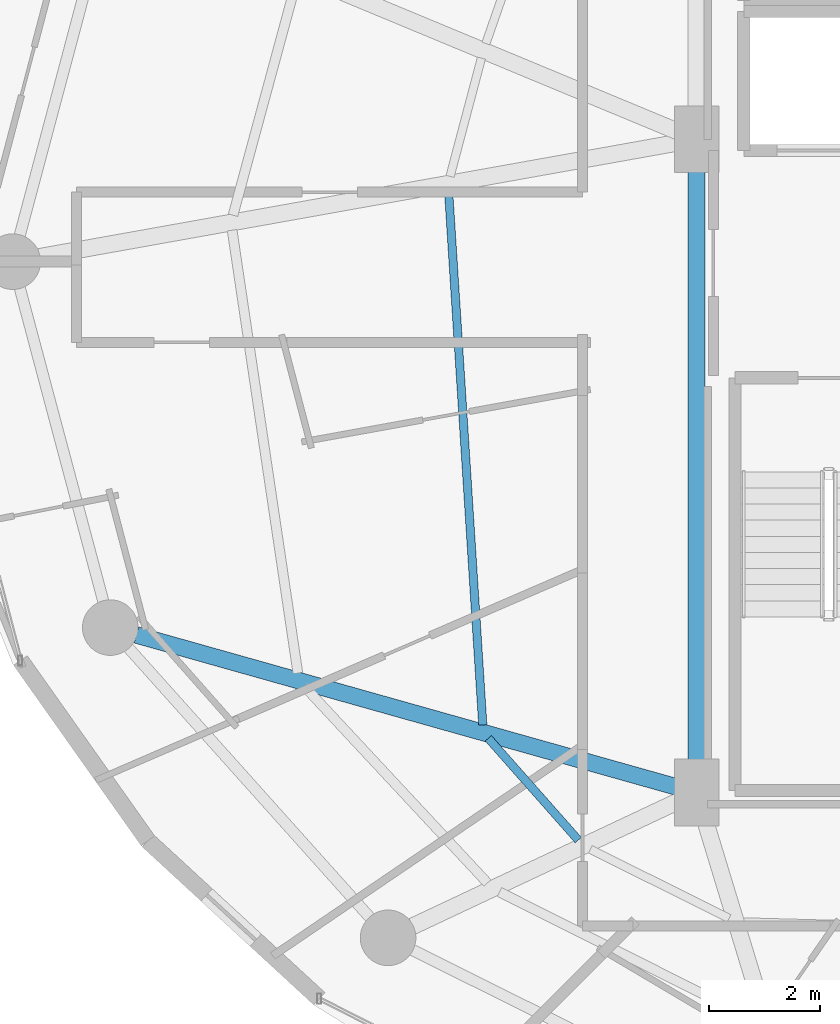
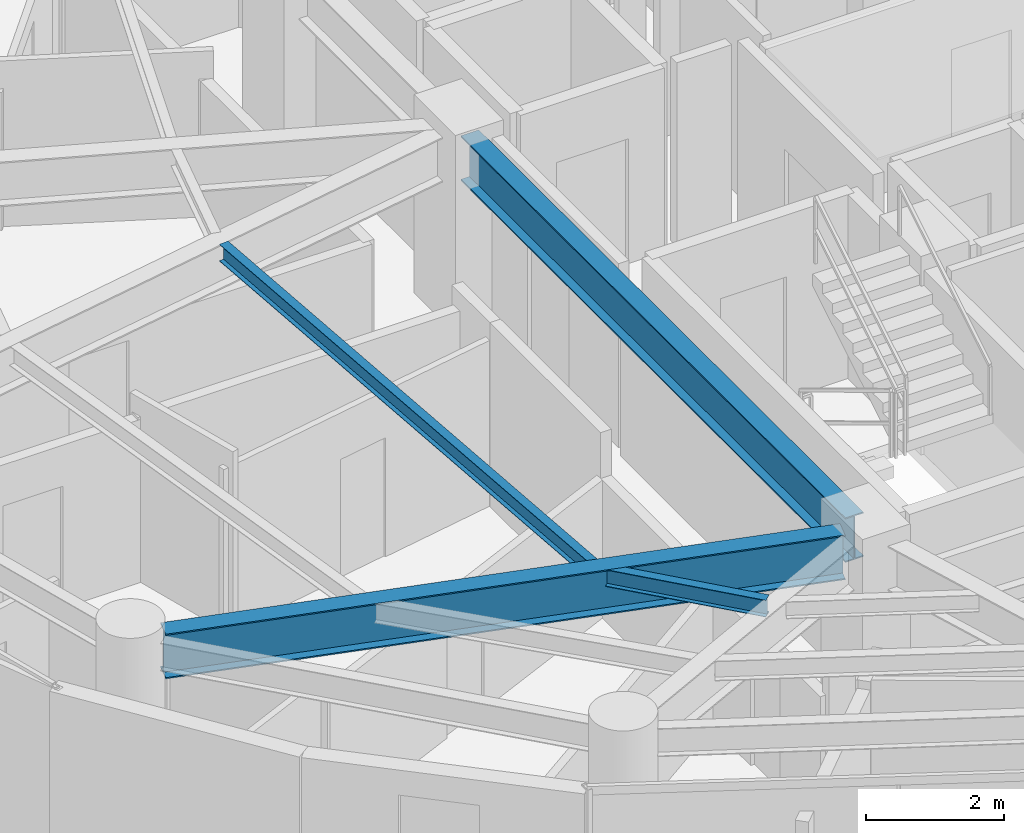
# One storey, part 4 of 31: 4 beams.
"""IFC4 building model written with IfcOpenShell, lengths in metres."""

import ifcopenshell
import ifcopenshell.guid

model = None  # the IFC model being written
_history = None  # IfcOwnerHistory: only IFC2X3 demands one
_inside = {}  # id of a spatial element -> (the spatial element, [elements in it])
_under = {}  # id of a project, library or spatial element -> (it, [spatial elements below it])
_declared = {}  # id of a project -> (the project, [libraries it declares])
_typed = {}  # id of a type object -> (the type object, [elements of that type])
_made_of = {}  # id of a material, layer set ... -> (it, [elements and type objects made of it])


def new_model(schema):
    """Start an empty IFC model of exactly this schema.

    Asked for "IFC4X3", IfcOpenShell would pick the latest addendum, in which some entities
    have other attributes; the version numbers below select the first issue.
    IFC2X3 requires an IfcOwnerHistory on every rooted entity: one is made here for all.
    """
    global model, _history
    if schema == "IFC4X3":
        model = ifcopenshell.file(schema_version=(4, 3, 0, 0))
    else:
        model = ifcopenshell.file(schema=schema)
    _inside.clear()
    _under.clear()
    _declared.clear()
    _typed.clear()
    _made_of.clear()
    _history = None
    if model.schema == "IFC2X3":
        org = make("IfcOrganization", Name="unknown")
        user = make(
            "IfcPersonAndOrganization",
            ThePerson=make("IfcPerson", FamilyName="unknown"),
            TheOrganization=org,
        )
        app = make(
            "IfcApplication",
            ApplicationDeveloper=org,
            Version="unknown",
            ApplicationFullName="unknown",
            ApplicationIdentifier="unknown",
        )
        _history = make(
            "IfcOwnerHistory",
            OwningUser=user,
            OwningApplication=app,
            ChangeAction="ADDED",
            CreationDate=0,
        )
    return model


def make(cls, **values):
    """One entity of the class cls with the attributes given. An attribute that is None is left unset."""
    return model.create_entity(
        cls, **{name: value for name, value in values.items() if value is not None}
    )


def rooted(cls, **values):
    """An entity with a GlobalId (a new one), such as an element, a storey or a relation."""
    return make(cls, GlobalId=ifcopenshell.guid.new(), OwnerHistory=_history, **values)


def si_unit(unit_type, name, prefix=None):
    """IfcSIUnit, for example si_unit("LENGTHUNIT", "METRE", prefix="MILLI")."""
    return make("IfcSIUnit", UnitType=unit_type, Prefix=prefix, Name=name)


def assignment(units):
    """IfcUnitAssignment: the units of a project."""
    return None if units is None else make("IfcUnitAssignment", Units=units)


def point(xyz):
    """IfcCartesianPoint."""
    return None if xyz is None else make("IfcCartesianPoint", Coordinates=xyz)


def direction(xyz):
    """IfcDirection."""
    return None if xyz is None else make("IfcDirection", DirectionRatios=xyz)


def frame(location, z_axis=None, x_axis=None):
    """IfcAxis2Placement3D, a coordinate frame: its origin and axes. An axis left out is left unset."""
    return make(
        "IfcAxis2Placement3D",
        Location=point(location),
        Axis=direction(z_axis),
        RefDirection=direction(x_axis),
    )


def frame_2d(location, x_axis=None):
    """IfcAxis2Placement2D, a coordinate frame in the plane: its origin and x axis."""
    return make(
        "IfcAxis2Placement2D", Location=point(location), RefDirection=direction(x_axis)
    )


def origin():
    """The frame at (0, 0, 0) with its axes left unset."""
    return frame((0.0, 0.0, 0.0))


def origin_2d():
    """The frame at (0, 0) in the plane with its x axis left unset."""
    return frame_2d((0.0, 0.0))


def place(relative_to, where):
    """IfcLocalPlacement: puts the frame where relative to a parent placement (None: the world)."""
    return make(
        "IfcLocalPlacement", PlacementRelTo=relative_to, RelativePlacement=where
    )


def context(
    kind, dimensions, precision=None, world=None, true_north=None, identifier=None
):
    """IfcGeometricRepresentationContext, for example the 3D "Model" context."""
    return make(
        "IfcGeometricRepresentationContext",
        ContextIdentifier=identifier,
        ContextType=kind,
        CoordinateSpaceDimension=dimensions,
        Precision=precision,
        WorldCoordinateSystem=world,
        TrueNorth=true_north,
    )


def subcontext(parent, identifier, kind, view, scale=None):
    """IfcGeometricRepresentationSubContext, for example "Body" below "Model"."""
    return make(
        "IfcGeometricRepresentationSubContext",
        ContextIdentifier=identifier,
        ContextType=kind,
        ParentContext=parent,
        TargetScale=scale,
        TargetView=view,
    )


def project(units=None, contexts=None):
    """IfcProject with its units and contexts."""
    return rooted(
        "IfcProject",
        Name="project",
        RepresentationContexts=contexts,
        UnitsInContext=assignment(units),
    )


def spatial(cls, under=None, at=None, **own):
    """A site, building, storey or space (cls), placed at a placement, below another one or the project."""
    s = rooted(cls, ObjectPlacement=at, **own)
    if under is not None:
        _under.setdefault(under.id(), (under, []))[1].append(s)
    return s


def profile(cls, at=None, kind="AREA", **sizes):
    """A parametric profile (cls). Its sizes go by their IFC names, for example OverallWidth=200.0."""
    return make(cls, ProfileType=kind, Position=at, **sizes)


def i_section(**sizes):
    """IfcIShapeProfileDef."""
    return profile("IfcIShapeProfileDef", **sizes)


def extrude(swept, where, along, depth):
    """IfcExtrudedAreaSolid: the profile swept, set in the frame where, extruded along a direction by depth."""
    return make(
        "IfcExtrudedAreaSolid",
        SweptArea=swept,
        Position=where,
        ExtrudedDirection=direction(along),
        Depth=depth,
    )


def shape(context_of_items, identifier, shape_type, items):
    """IfcShapeRepresentation: the items that make up one representation, for example the "Body"."""
    return make(
        "IfcShapeRepresentation",
        ContextOfItems=context_of_items,
        RepresentationIdentifier=identifier,
        RepresentationType=shape_type,
        Items=items,
    )


def material(Name=None, Category=None):
    """IfcMaterial."""
    return make("IfcMaterial", Name=Name, Category=Category)


def material_profile(
    of_material, cross_section, Name=None, Category=None, Priority=None
):
    """IfcMaterialProfile: a cross section and its material."""
    return make(
        "IfcMaterialProfile",
        Name=Name,
        Material=of_material,
        Profile=cross_section,
        Priority=Priority,
        Category=Category,
    )


def profile_set(profiles, Name=None, composite=None):
    """IfcMaterialProfileSet."""
    return make(
        "IfcMaterialProfileSet",
        Name=Name,
        MaterialProfiles=profiles,
        CompositeProfile=composite,
    )


def made_of(thing, what):
    """Note that an element or type object is made of a material, layer set ...; save() writes the relation."""
    if what is not None:
        _made_of.setdefault(what.id(), (what, []))[1].append(thing)
    return thing


def type_object(cls, material=None, **own):
    """A type object (cls), such as IfcWallType, which elements share."""
    return made_of(rooted(cls, **own), material)


def element(
    cls,
    number,
    at=None,
    inside=None,
    cuts=None,
    type_object=None,
    material=None,
    context=None,
    identifier="Body",
    shape_type=None,
    held_by="IfcProductDefinitionShape",
    body=None,
    shapes=None,
    **own,
):
    """One element of the class cls, such as IfcWall. Its Tag is "e" and its number.

    at: its placement. inside: the storey or other place that contains it. cuts: it is an
    opening in that element (IfcRelVoidsElement). A single representation is given by context,
    identifier, shape_type and body (its items); several are given by shapes. held_by: the class
    of the entity that holds the representations. save() writes the other relations.
    """
    e = rooted(cls, Tag="e%d" % number, ObjectPlacement=at, **own)
    if body is not None:
        shapes = [shape(context, identifier, shape_type, body)]
    if shapes is not None:
        e.Representation = make(held_by, Representations=shapes)
    if inside is not None:
        _inside.setdefault(inside.id(), (inside, []))[1].append(e)
    if cuts is not None:
        rooted(
            "IfcRelVoidsElement", RelatingBuildingElement=cuts, RelatedOpeningElement=e
        )
    if type_object is not None:
        _typed.setdefault(type_object.id(), (type_object, []))[1].append(e)
    return made_of(e, material)


def aggregate(whole, parts):
    """IfcRelAggregates: a whole, such as a stair, and the parts it consists of."""
    return rooted("IfcRelAggregates", RelatingObject=whole, RelatedObjects=parts)


def save(model, path):
    """Write the relations noted so far, then the file.

    IfcRelAggregates (storeys below a building ...), IfcRelContainedInSpatialStructure (elements
    in a storey), IfcRelDefinesByType, IfcRelAssociatesMaterial and IfcRelDeclares: one each for
    every whole, place, type object, material and project.
    """
    for whole, parts in _under.values():
        aggregate(whole, parts)
    for where, things in _inside.values():
        rooted(
            "IfcRelContainedInSpatialStructure",
            RelatedElements=things,
            RelatingStructure=where,
        )
    for kind, things in _typed.values():
        rooted("IfcRelDefinesByType", RelatedObjects=things, RelatingType=kind)
    for what, things in _made_of.values():
        rooted("IfcRelAssociatesMaterial", RelatedObjects=things, RelatingMaterial=what)
    for by, libraries in _declared.values():
        rooted("IfcRelDeclares", RelatingContext=by, RelatedDefinitions=libraries)
    model.write(path)


model = new_model("IFC4")

# Units and contexts
model_context = context("Model", 3, precision=1e-05, world=origin(), true_north=direction((0.0, 1.0)))
body_context = subcontext(model_context, "Body", "Model", "MODEL_VIEW")
ifc_project = project(units=[si_unit("LENGTHUNIT", "METRE"), si_unit("AREAUNIT", "SQUARE_METRE"), si_unit("VOLUMEUNIT", "CUBIC_METRE"), si_unit("PLANEANGLEUNIT", "RADIAN"), si_unit("MASSUNIT", "GRAM", prefix="KILO")], contexts=[model_context])

# Site, building, storey
site_placement = place(None, origin())
site = spatial("IfcSite", under=ifc_project, at=site_placement, CompositionType="ELEMENT")
building_placement = place(site_placement, origin())
building = spatial("IfcBuilding", under=site, at=building_placement, Name="Vorneva Point Tower", CompositionType="ELEMENT")
storey_placement = place(building_placement, frame((0.0, 0.0, 136.10009765625)))
storey = spatial("IfcBuildingStorey", under=building, at=storey_placement, Name="L36", CompositionType="ELEMENT", Elevation=136.10009765625)

# Beams
ifc_material = material(Name="Steel S355", Category="steel")
ifc_material_profile_1 = material_profile(ifc_material, i_section(OverallWidth=0.300048828125, OverallDepth=0.7880859375, WebThickness=0.014404296875, FlangeThickness=0.02197265625, at=origin_2d()), Name="80Sh1")
ifc_profile_set_1 = profile_set([ifc_material_profile_1], Name="Steel S355")
beam_type_1 = type_object("IfcBeamType", Name="BM-GRD-80Sh1", PredefinedType="USERDEFINED", material=ifc_profile_set_1)
beam_1_placement = place(storey_placement, frame((17.17431640625, 19.28564453125, 2.845947265625), z_axis=(0.96260085362, -0.270923599213, 0.0), x_axis=(0.270923599213, 0.96260085362, 0.0)))
element("IfcBeam", 1, at=beam_1_placement, inside=storey, type_object=beam_type_1, Name="L36 Radial Primary Girder 10", ObjectType="GIRDER", PredefinedType="USERDEFINED", context=body_context, shape_type="SweptSolid", body=[
    extrude(i_section(OverallWidth=0.300048828125, OverallDepth=0.7880859375, WebThickness=0.014404296875, FlangeThickness=0.02197265625, at=origin_2d()), origin(), (0.0, 0.0, 1.0), 10.126953125),
])
beam_2_placement = place(storey_placement, frame((27.25, 16.77001953125, 2.845947265625), z_axis=(0.0, 1.0, 0.0), x_axis=(-1.0, 0.0, 0.0)))
element("IfcBeam", 2, at=beam_2_placement, inside=storey, type_object=beam_type_1, Name="L36 Core Tie Girder CT1", ObjectType="GIRDER", PredefinedType="USERDEFINED", context=body_context, shape_type="SweptSolid", body=[
    extrude(i_section(OverallWidth=0.300048828125, OverallDepth=0.7880859375, WebThickness=0.014404296875, FlangeThickness=0.02197265625, at=origin_2d()), origin(), (0.0, 0.0, 1.0), 11.10986328125),
])
ifc_material_profile_2 = material_profile(ifc_material, i_section(OverallWidth=0.14892578125, OverallDepth=0.298095703125, WebThickness=0.005615234375, FlangeThickness=0.008056640625, at=origin_2d()), Name="30B1")
ifc_profile_set_2 = profile_set([ifc_material_profile_2], Name="Steel S355")
beam_type_2 = type_object("IfcBeamType", Name="BM-JST-30B1", PredefinedType="JOIST", material=ifc_profile_set_2)
beam_3_placement = place(storey_placement, frame((22.78955078125, 27.262939453125, 3.0908203125), z_axis=(0.063960566948, -0.99795242666, 0.0), x_axis=(0.99795242666, 0.063960566948, 0.0)))
element("IfcBeam", 3, at=beam_3_placement, inside=storey, type_object=beam_type_2, Name="L36 Secondary Floor Beam 2.09", PredefinedType="JOIST", context=body_context, shape_type="SweptSolid", body=[
    extrude(i_section(OverallWidth=0.14892578125, OverallDepth=0.298095703125, WebThickness=0.005615234375, FlangeThickness=0.008056640625, at=origin_2d()), origin(), (0.0, 0.0, 1.0), 9.615234375),
])
beam_4_placement = place(storey_placement, frame((23.504638671875, 17.426513671875, 3.0908203125), z_axis=(0.662209536351, -0.74931871054, 0.0), x_axis=(0.74931871054, 0.662209536351, 0.0)))
element("IfcBeam", 4, at=beam_4_placement, inside=storey, type_object=beam_type_2, Name="L36 Secondary Floor Beam 2.10", PredefinedType="JOIST", context=body_context, shape_type="SweptSolid", body=[
    extrude(i_section(OverallWidth=0.14892578125, OverallDepth=0.298095703125, WebThickness=0.005615234375, FlangeThickness=0.008056640625, at=origin_2d()), origin(), (0.0, 0.0, 1.0), 2.44384765625),
])

save(model, "model.ifc")
